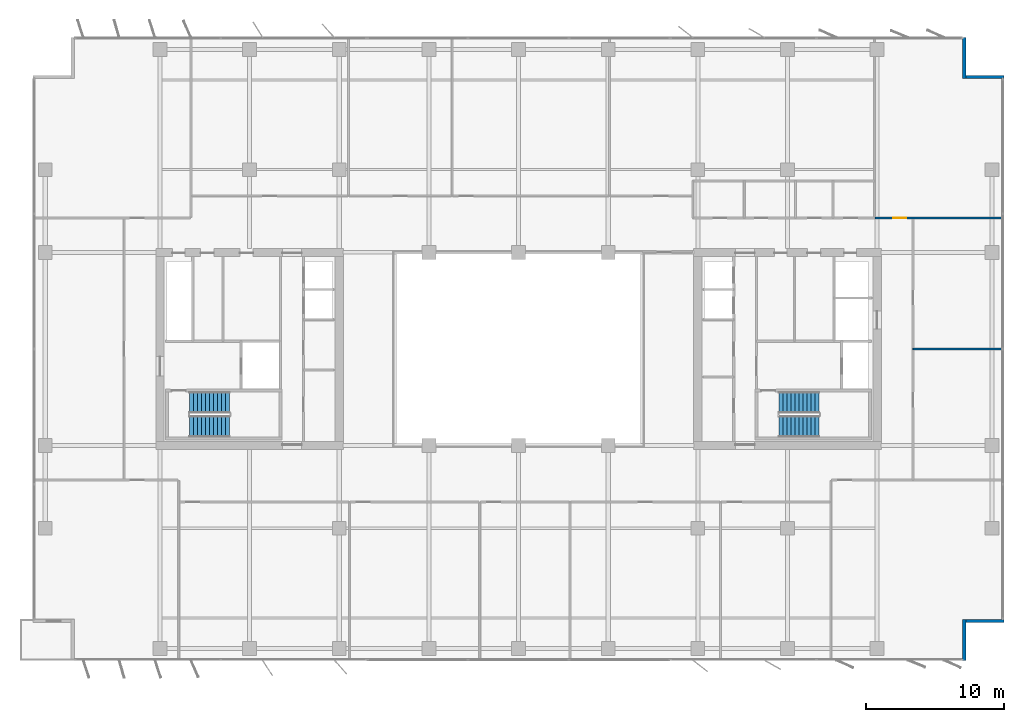
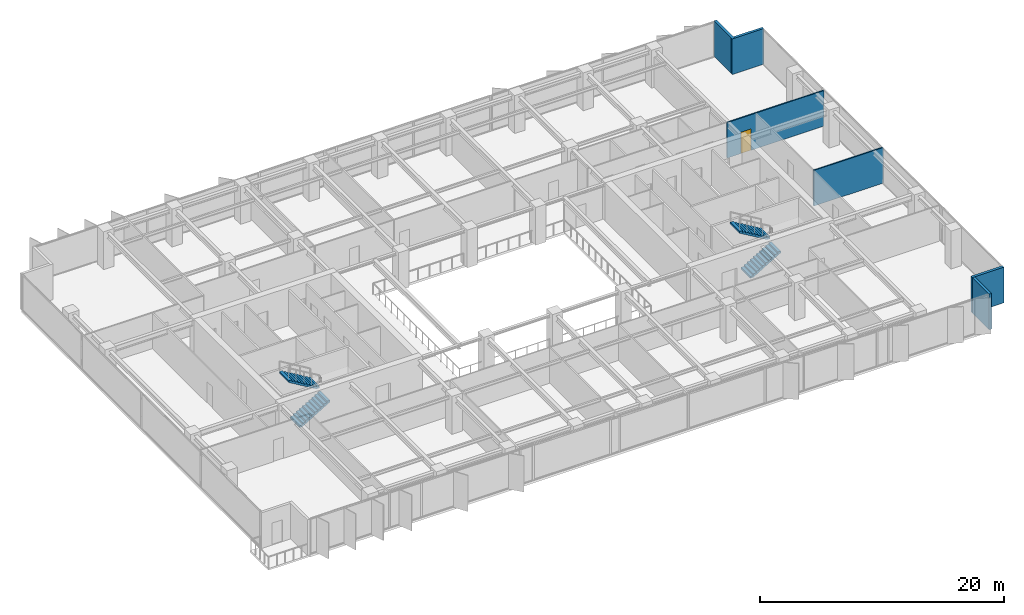
# One storey, part 18 of 22: 6 walls, 4 stair flights, 1 door, 1 opening, 2 elements without a shape of their own.
"""IFC4 building model written with IfcOpenShell, lengths in metres."""

from ifc_helpers import new_model, si_unit, direction, frame, frame_2d, origin, place, context, subcontext, project, spatial, polyline, rectangle, outline, extrude, material, layer, layer_set, type_object, element, fill, aggregate, save


model = new_model("IFC4")

# Units and contexts
model_context = context("Model", 3, precision=1e-05, world=origin(), true_north=direction((0.0, 1.0)))
body_context = subcontext(model_context, "Body", "Model", "MODEL_VIEW")
ifc_project = project(units=[si_unit("LENGTHUNIT", "METRE"), si_unit("AREAUNIT", "SQUARE_METRE"), si_unit("VOLUMEUNIT", "CUBIC_METRE"), si_unit("PLANEANGLEUNIT", "RADIAN"), si_unit("MASSUNIT", "GRAM", prefix="KILO")], contexts=[model_context])

# Site, building, storey
site_placement = place(None, origin())
site = spatial("IfcSite", under=ifc_project, at=site_placement, CompositionType="ELEMENT")
building_placement = place(site_placement, origin())
building = spatial("IfcBuilding", under=site, at=building_placement, Name="Putna Gate Headquarters", CompositionType="ELEMENT")
storey_placement = place(building_placement, frame((0.0, 0.0, 167.0)))
storey = spatial("IfcBuildingStorey", under=building, at=storey_placement, Name="L41", CompositionType="ELEMENT", Elevation=167.0)

# Walls
ifc_material_1 = material(Name="Precast concrete C40/50", Category="concrete")
ifc_layer_1 = layer(ifc_material_1, 0.239990234375)
ifc_layer_set_1 = layer_set([ifc_layer_1], Name="Precast concrete C40/50")
wall_type_1 = type_object("IfcWallType", Name="WALL-EXT-TERR-240", PredefinedType="STANDARD", material=ifc_layer_set_1)
for number, where, z_axis, x_axis, name in (
    (1, (71.320068359375, 48.60009765625, 0.0), (0.0, 0.0, 1.0), (0.0, -1.0, 0.0), "L41 Corner Notch Return Wall NE-V"),
    (2, (71.199951171875, 45.719970703125, 0.0), (0.0, 0.0, 1.0), (1.0, 0.0, 0.0), "L41 Corner Notch Return Wall NE-H"),
    (3, (71.320068359375, 6.39990234375, 0.0), (0.0, 0.0, 1.0), (0.0, -1.0, 0.0), "L41 Corner Notch Return Wall SE-V"),
    (4, (74.199951171875, 6.280029296875, 0.0), (0.0, 0.0, 1.0), (-1.0, 0.0, 0.0), "L41 Corner Notch Return Wall SE-H"),
):
    element("IfcWall", number, at=place(storey_placement, frame(where, z_axis=z_axis, x_axis=x_axis)), inside=storey, type_object=wall_type_1, Name=name, PredefinedType="STANDARD", context=body_context, shape_type="SweptSolid", body=[
        extrude(rectangle(XDim=3.0, YDim=0.239990234375, at=frame_2d((1.5, 0.0))), origin(), (0.0, 0.0, 1.0), 3.572021484375),
    ])
ifc_material_2 = material(Name="Acoustic gypsum board on metal stud")
ifc_layer_2 = layer(ifc_material_2, 0.1201171875)
ifc_layer_set_2 = layer_set([ifc_layer_2], Name="Acoustic gypsum board on metal stud")
wall_type_2 = type_object("IfcWallType", Name="WALL-PART-120", PredefinedType="PARTITIONING", material=ifc_layer_set_2)
wall_1_placement = place(storey_placement, frame((67.60009765625, 26.0, 0.0), z_axis=(0.0, 0.0, 1.0), x_axis=(1.0, 0.0, 0.0)))
element("IfcWall", 5, at=wall_1_placement, inside=storey, type_object=wall_type_2, Name="L41 Interior Wall PART-L41-EW-DIV-1", PredefinedType="PARTITIONING", context=body_context, shape_type="SweptSolid", body=[
    extrude(rectangle(XDim=6.579833984375, YDim=0.1201171875, at=frame_2d((3.2900390625, 0.0))), origin(), (0.0, 0.0, 1.0), 3.572021484375),
])

# Wall, opening, door
ifc_material_3 = material(Name="Fire-rated gypsum board on metal stud")
ifc_layer_3 = layer(ifc_material_3, 0.1201171875)
ifc_layer_set_3 = layer_set([ifc_layer_3], Name="Fire-rated gypsum board on metal stud")
wall_type_3 = type_object("IfcWallType", Name="WALL-PART-120-RATED", PredefinedType="PARTITIONING", material=ifc_layer_set_3)
wall_2_placement = place(storey_placement, frame((64.860107421875, 35.5, 0.0), z_axis=(0.0, 0.0, 1.0), x_axis=(1.0, 0.0, 0.0)))
wall_2 = element("IfcWall", 6, at=wall_2_placement, inside=storey, type_object=wall_type_3, Name="L41 Interior Wall PART-L41-NB-CW-06", PredefinedType="PARTITIONING", context=body_context, shape_type="SweptSolid", body=[
    extrude(rectangle(XDim=9.159912109375, YDim=0.1201171875, at=frame_2d((4.580078125, 0.0))), origin(), (0.0, 0.0, 1.0), 3.572021484375),
])
opening_placement = place(wall_2_placement, frame((1.31005859375, 0.0, 0.0)))
opening = element("IfcOpeningElement", 7, at=opening_placement, cuts=wall_2, Name="Opening FD-95", PredefinedType="OPENING", context=body_context, shape_type="SweptSolid", body=[
    extrude(rectangle(XDim=0.949951171875, YDim=2.14990234375, at=frame_2d((0.47509765625, 1.074951171875))), frame((0.0, 0.070068359375, 0.0), z_axis=(0.0, -1.0, 0.0), x_axis=(1.0, 0.0, 0.0)), (0.0, 0.0, 1.0), 0.14013671875),
])
ifc_material_4 = material(Name="Acoustic timber fire door", Category="wood")
door_type = type_object("IfcDoorType", Name="DOOR-FIRE-950", OperationType="NOTDEFINED", PredefinedType="DOOR", material=ifc_material_4)
door_placement = place(opening_placement, origin())
door = element("IfcDoor", 8, at=door_placement, inside=storey, type_object=door_type, Name="L41 Cellular Office 2 Door", OperationType="SINGLE_SWING_LEFT", OverallHeight=2.14990234375, OverallWidth=0.949951171875, PredefinedType="DOOR", context=body_context, shape_type="SweptSolid", body=[
    extrude(rectangle(XDim=0.949951171875, YDim=2.14990234375, at=frame_2d((0.47509765625, 1.074951171875))), frame((0.0, 0.02490234375, 0.0), z_axis=(0.0, -1.0, 0.0), x_axis=(1.0, 0.0, 0.0)), (0.0, 0.0, 1.0), 0.050048828125),
])
fill(opening, door)

# Stair, stair flights
ifc_material_5 = material(Name="Concrete C40/50", Category="concrete")
stair_type_1 = type_object("IfcStairType", Name="STAIR-ST1", PredefinedType="HALF_TURN_STAIR", material=ifc_material_5)
stair_1_placement = place(storey_placement, origin())
stair_1 = element("IfcStair", 9, at=stair_1_placement, inside=storey, type_object=stair_type_1, Name="L41 West Core Exit Stair ST1", PredefinedType="HALF_TURN_STAIR")
stair_flight_type_1 = type_object("IfcStairFlightType", Name="FLIGHT-ST1", PredefinedType="STRAIGHT", material=ifc_material_5)
stair_flight_1_placement = place(storey_placement, frame((15.14990234375, 20.375, 0.0), z_axis=(0.0, 0.0, 1.0), x_axis=(1.0, 0.0, 0.0)))
stair_flight_1 = element("IfcStairFlight", 10, at=stair_flight_1_placement, type_object=stair_flight_type_1, Name="ST1 flight 1", NumberOfRisers=11, NumberOfTreads=10, PredefinedType="STRAIGHT", RiserHeight=0.172727273, TreadLength=0.29, context=body_context, shape_type="SweptSolid", body=[
    extrude(outline(polyline([(0.0, 0.0), (0.0, 0.172607421875), (0.2900390625, 0.172607421875), (0.2900390625, 0.345458984375), (0.580078125, 0.345458984375), (0.580078125, 0.51806640625), (0.8701171875, 0.51806640625), (0.8701171875, 0.69091796875), (1.159912109375, 0.69091796875), (1.159912109375, 0.863525390625), (1.449951171875, 0.863525390625), (1.449951171875, 1.036376953125), (1.739990234375, 1.036376953125), (1.739990234375, 1.208984375), (2.030029296875, 1.208984375), (2.030029296875, 1.3818359375), (2.320068359375, 1.3818359375), (2.320068359375, 1.554443359375), (2.610107421875, 1.554443359375), (2.610107421875, 1.727294921875), (2.89990234375, 1.727294921875), (2.89990234375, 1.89990234375), (2.89990234375, 1.552734375), (0.29296875, 0.0), (0.0, 0.0)])), frame((0.0, 0.77490234375, 0.0), z_axis=(0.0, -1.0, 0.0), x_axis=(1.0, 0.0, 0.0)), (0.0, 0.0, 1.0), 1.550048828125),
])
stair_flight_2_placement = place(storey_placement, frame((18.050048828125, 22.125, 1.89990234375), z_axis=(0.0, 0.0, 1.0), x_axis=(-1.0, 0.0, 0.0)))
stair_flight_2 = element("IfcStairFlight", 11, at=stair_flight_2_placement, type_object=stair_flight_type_1, Name="ST1 flight 2", NumberOfRisers=11, NumberOfTreads=10, PredefinedType="STRAIGHT", RiserHeight=0.172727273, TreadLength=0.29, context=body_context, shape_type="SweptSolid", body=[
    extrude(outline(polyline([(0.0, 0.0), (0.0, 0.172607421875), (0.2900390625, 0.172607421875), (0.2900390625, 0.345458984375), (0.580078125, 0.345458984375), (0.580078125, 0.51806640625), (0.8701171875, 0.51806640625), (0.8701171875, 0.69091796875), (1.159912109375, 0.69091796875), (1.159912109375, 0.863525390625), (1.449951171875, 0.863525390625), (1.449951171875, 1.036376953125), (1.739990234375, 1.036376953125), (1.739990234375, 1.208984375), (2.030029296875, 1.208984375), (2.030029296875, 1.3818359375), (2.320068359375, 1.3818359375), (2.320068359375, 1.554443359375), (2.610107421875, 1.554443359375), (2.610107421875, 1.727294921875), (2.89990234375, 1.727294921875), (2.89990234375, 1.89990234375), (2.89990234375, 1.552734375), (0.29296875, 0.0), (0.0, 0.0)])), frame((0.0, 0.77490234375, 0.0), z_axis=(0.0, -1.0, 0.0), x_axis=(1.0, 0.0, 0.0)), (0.0, 0.0, 1.0), 1.550048828125),
])
aggregate(stair_1, [stair_flight_1, stair_flight_2])

stair_type_2 = type_object("IfcStairType", Name="STAIR-ST2", PredefinedType="HALF_TURN_STAIR", material=ifc_material_5)
stair_2_placement = place(storey_placement, origin())
stair_2 = element("IfcStair", 12, at=stair_2_placement, inside=storey, type_object=stair_type_2, Name="L41 East Core Exit Stair ST2", PredefinedType="HALF_TURN_STAIR")
stair_flight_type_2 = type_object("IfcStairFlightType", Name="FLIGHT-ST2", PredefinedType="STRAIGHT", material=ifc_material_5)
stair_flight_3_placement = place(storey_placement, frame((57.89990234375, 20.375, 0.0), z_axis=(0.0, 0.0, 1.0), x_axis=(1.0, 0.0, 0.0)))
stair_flight_3 = element("IfcStairFlight", 13, at=stair_flight_3_placement, type_object=stair_flight_type_2, Name="ST2 flight 1", NumberOfRisers=11, NumberOfTreads=10, PredefinedType="STRAIGHT", RiserHeight=0.172727273, TreadLength=0.29, context=body_context, shape_type="SweptSolid", body=[
    extrude(outline(polyline([(0.0, 0.0), (0.0, 0.172607421875), (0.2900390625, 0.172607421875), (0.2900390625, 0.345458984375), (0.580078125, 0.345458984375), (0.580078125, 0.51806640625), (0.8701171875, 0.51806640625), (0.8701171875, 0.69091796875), (1.159912109375, 0.69091796875), (1.159912109375, 0.863525390625), (1.449951171875, 0.863525390625), (1.449951171875, 1.036376953125), (1.739990234375, 1.036376953125), (1.739990234375, 1.208984375), (2.030029296875, 1.208984375), (2.030029296875, 1.3818359375), (2.320068359375, 1.3818359375), (2.320068359375, 1.554443359375), (2.610107421875, 1.554443359375), (2.610107421875, 1.727294921875), (2.89990234375, 1.727294921875), (2.89990234375, 1.89990234375), (2.89990234375, 1.552734375), (0.29296875, 0.0), (0.0, 0.0)])), frame((0.0, 0.77490234375, 0.0), z_axis=(0.0, -1.0, 0.0), x_axis=(1.0, 0.0, 0.0)), (0.0, 0.0, 1.0), 1.550048828125),
])
stair_flight_4_placement = place(storey_placement, frame((60.800048828125, 22.125, 1.89990234375), z_axis=(0.0, 0.0, 1.0), x_axis=(-1.0, 0.0, 0.0)))
stair_flight_4 = element("IfcStairFlight", 14, at=stair_flight_4_placement, type_object=stair_flight_type_2, Name="ST2 flight 2", NumberOfRisers=11, NumberOfTreads=10, PredefinedType="STRAIGHT", RiserHeight=0.172727273, TreadLength=0.29, context=body_context, shape_type="SweptSolid", body=[
    extrude(outline(polyline([(0.0, 0.0), (0.0, 0.172607421875), (0.2900390625, 0.172607421875), (0.2900390625, 0.345458984375), (0.580078125, 0.345458984375), (0.580078125, 0.51806640625), (0.8701171875, 0.51806640625), (0.8701171875, 0.69091796875), (1.159912109375, 0.69091796875), (1.159912109375, 0.863525390625), (1.449951171875, 0.863525390625), (1.449951171875, 1.036376953125), (1.739990234375, 1.036376953125), (1.739990234375, 1.208984375), (2.030029296875, 1.208984375), (2.030029296875, 1.3818359375), (2.320068359375, 1.3818359375), (2.320068359375, 1.554443359375), (2.610107421875, 1.554443359375), (2.610107421875, 1.727294921875), (2.89990234375, 1.727294921875), (2.89990234375, 1.89990234375), (2.89990234375, 1.552734375), (0.29296875, 0.0), (0.0, 0.0)])), frame((0.0, 0.77490234375, 0.0), z_axis=(0.0, -1.0, 0.0), x_axis=(1.0, 0.0, 0.0)), (0.0, 0.0, 1.0), 1.550048828125),
])
aggregate(stair_2, [stair_flight_3, stair_flight_4])

save(model, "model.ifc")
